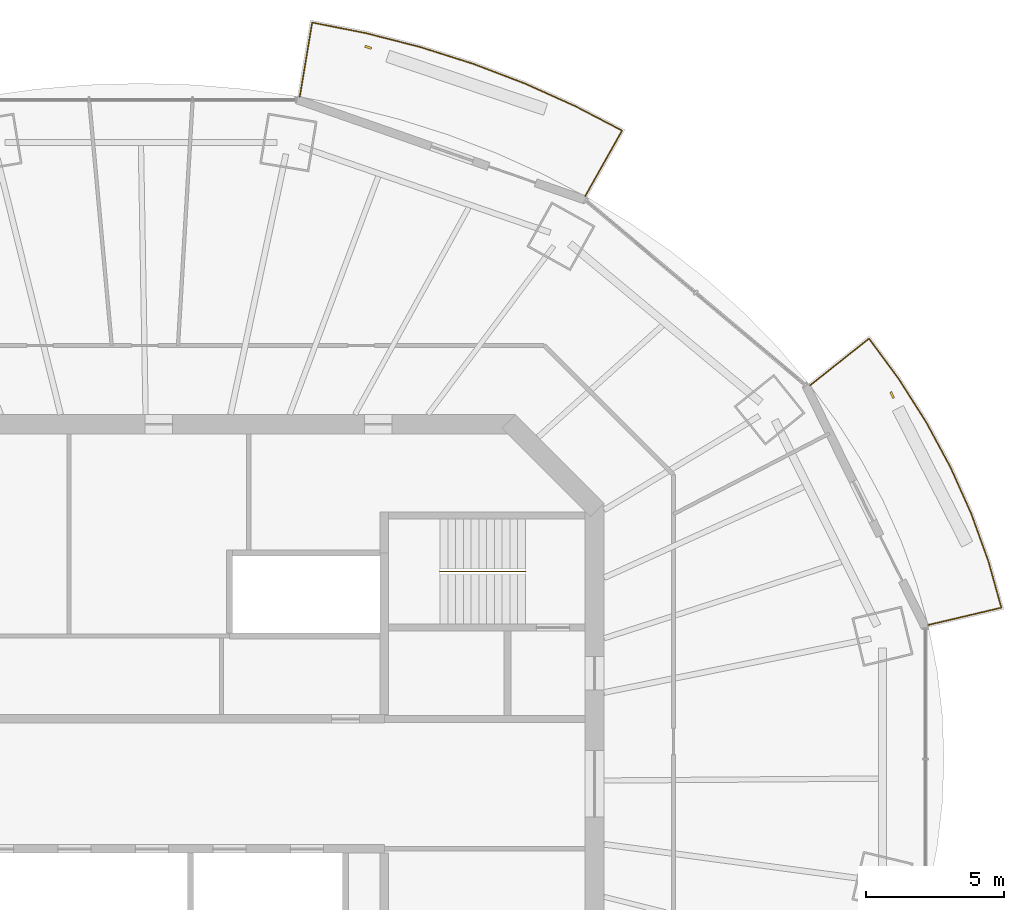
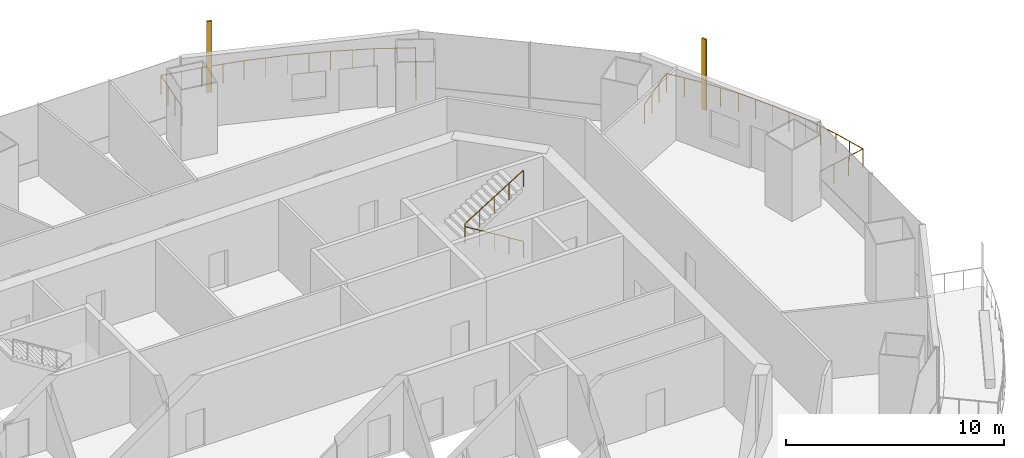
# One storey, part 15 of 16: 3 railings, 2 shading devices.
"""IFC4 building model written with IfcOpenShell, lengths in metres."""

from ifc_helpers import new_model, si_unit, direction, frame, origin, origin_2d, place, context, subcontext, project, spatial, rectangle, circle, extrude, material, material_profile, profile_set, type_object, element, save


model = new_model("IFC4")

# Units and contexts
model_context = context("Model", 3, precision=1e-05, world=origin(), true_north=direction((0.0, 1.0)))
body_context = subcontext(model_context, "Body", "Model", "MODEL_VIEW")
ifc_project = project(units=[si_unit("LENGTHUNIT", "METRE"), si_unit("AREAUNIT", "SQUARE_METRE"), si_unit("VOLUMEUNIT", "CUBIC_METRE"), si_unit("PLANEANGLEUNIT", "RADIAN"), si_unit("MASSUNIT", "GRAM", prefix="KILO")], contexts=[model_context])

# Site, building, storey
site_placement = place(None, origin())
site = spatial("IfcSite", under=ifc_project, at=site_placement, CompositionType="ELEMENT")
building_placement = place(site_placement, origin())
building = spatial("IfcBuilding", under=site, at=building_placement, Name="Marenthal Gate Tower", CompositionType="ELEMENT")
storey_placement = place(building_placement, frame((0.0, 0.0, 288.64990234375)))
storey = spatial("IfcBuildingStorey", under=building, at=storey_placement, Name="L64", CompositionType="ELEMENT", Elevation=288.64990234375)

# Railings
ifc_material_1 = material(Name="Stainless steel", Category="steel")
railing_type_1 = type_object("IfcRailingType", Name="Balcony guard 1100", PredefinedType="GUARDRAIL", material=ifc_material_1)
railing_1_placement = place(storey_placement, frame((23.7939453125, 14.406005859375, 0.0)))
element("IfcRailing", 1, at=railing_1_placement, inside=storey, type_object=railing_type_1, Name="Balcony guard L64 bay 1", PredefinedType="GUARDRAIL", context=body_context, shape_type="SweptSolid", body=[
    extrude(circle(Radius=0.02392578125, at=origin_2d()), frame((0.0, 0.0, 1.076171875), z_axis=(0.783213412128, 0.621580851656, -0.01462859931), x_axis=(-0.621647370214, 0.783297227817, 0.0)), (0.0, 0.0, 1.0), 2.720458984375),
    extrude(circle(Radius=0.02392578125, at=origin_2d()), frame((2.130615234375, 1.69091796875, 1.0361328125), z_axis=(0.593175870863, -0.805072907398, 0.0), x_axis=(0.805072907398, 0.593175870863, 0.0)), (0.0, 0.0, 1.0), 1.79736328125),
    extrude(circle(Radius=0.02392578125, at=origin_2d()), frame((3.19677734375, 0.243896484375, 1.0361328125), z_axis=(0.536341470097, -0.844001082614, 0.0), x_axis=(0.844001082614, 0.536341470097, 0.0)), (0.0, 0.0, 1.0), 1.864013671875),
    extrude(circle(Radius=0.02392578125, at=origin_2d()), frame((4.196533203125, -1.329345703125, 1.0361328125), z_axis=(0.474178476771, -0.880428743379, 0.0), x_axis=(0.880428743379, 0.474178476771, 0.0)), (0.0, 0.0, 1.0), 1.85107421875),
    extrude(circle(Radius=0.02392578125, at=origin_2d()), frame((5.07421875, -2.958984375, 1.0361328125), z_axis=(0.408427160426, -0.912790915066, 0.0), x_axis=(0.912790915066, 0.408427160426, 0.0)), (0.0, 0.0, 1.0), 1.83984375),
    extrude(circle(Radius=0.02392578125, at=origin_2d()), frame((5.82568359375, -4.638427734375, 1.0361328125), z_axis=(0.339224848664, -0.94070532158, 0.0), x_axis=(0.94070532158, 0.339224848664, 0.0)), (0.0, 0.0, 1.0), 1.830322265625),
    extrude(circle(Radius=0.02392578125, at=origin_2d()), frame((6.446533203125, -6.360107421875, 1.0361328125), z_axis=(0.268792920524, -0.963197988929, 0.0), x_axis=(0.963197988929, 0.268792920524, 0.0)), (0.0, 0.0, 1.0), 1.7421875),
    extrude(circle(Radius=0.02392578125, at=origin_2d()), frame((6.914794921875, -8.0380859375, 1.0361328125), z_axis=(-0.973098377557, -0.22992511697, 0.01462833492), x_axis=(0.229949721547, -0.973202510046, 0.0)), (0.0, 0.0, 1.0), 2.720458984375),
    extrude(circle(Radius=0.02099609375, at=origin_2d()), origin(), (0.0, 0.0, 1.0), 1.052001953125),
    extrude(circle(Radius=0.02099609375, at=origin_2d()), frame((0.710205078125, 0.563720703125, -0.01318359375)), (0.0, 0.0, 1.0), 1.052001953125),
    extrude(circle(Radius=0.02099609375, at=origin_2d()), frame((1.42041015625, 1.127197265625, -0.026611328125)), (0.0, 0.0, 1.0), 1.052001953125),
    extrude(circle(Radius=0.02099609375, at=origin_2d()), frame((2.130615234375, 1.69091796875, -0.039794921875)), (0.0, 0.0, 1.0), 1.052001953125),
    extrude(circle(Radius=0.02099609375, at=origin_2d()), frame((2.66357421875, 0.96728515625, -0.039794921875)), (0.0, 0.0, 1.0), 1.052001953125),
    extrude(circle(Radius=0.02099609375, at=origin_2d()), frame((3.19677734375, 0.243896484375, -0.039794921875)), (0.0, 0.0, 1.0), 1.052001953125),
    extrude(circle(Radius=0.02099609375, at=origin_2d()), frame((3.69677734375, -0.542724609375, -0.039794921875)), (0.0, 0.0, 1.0), 1.052001953125),
    extrude(circle(Radius=0.02099609375, at=origin_2d()), frame((4.196533203125, -1.329345703125, -0.039794921875)), (0.0, 0.0, 1.0), 1.052001953125),
    extrude(circle(Radius=0.02099609375, at=origin_2d()), frame((4.63525390625, -2.14404296875, -0.039794921875)), (0.0, 0.0, 1.0), 1.052001953125),
    extrude(circle(Radius=0.02099609375, at=origin_2d()), frame((5.07421875, -2.958984375, -0.039794921875)), (0.0, 0.0, 1.0), 1.052001953125),
    extrude(circle(Radius=0.02099609375, at=origin_2d()), frame((5.449951171875, -3.798828125, -0.039794921875)), (0.0, 0.0, 1.0), 1.052001953125),
    extrude(circle(Radius=0.02099609375, at=origin_2d()), frame((5.82568359375, -4.638427734375, -0.039794921875)), (0.0, 0.0, 1.0), 1.052001953125),
    extrude(circle(Radius=0.02099609375, at=origin_2d()), frame((6.13623046875, -5.499267578125, -0.039794921875)), (0.0, 0.0, 1.0), 1.052001953125),
    extrude(circle(Radius=0.02099609375, at=origin_2d()), frame((6.446533203125, -6.360107421875, -0.039794921875)), (0.0, 0.0, 1.0), 1.052001953125),
    extrude(circle(Radius=0.02099609375, at=origin_2d()), frame((6.6806640625, -7.19921875, -0.039794921875)), (0.0, 0.0, 1.0), 1.052001953125),
    extrude(circle(Radius=0.02099609375, at=origin_2d()), frame((6.914794921875, -8.0380859375, -0.039794921875)), (0.0, 0.0, 1.0), 1.052001953125),
    extrude(circle(Radius=0.02099609375, at=origin_2d()), frame((6.032470703125, -8.24658203125, -0.026611328125)), (0.0, 0.0, 1.0), 1.052001953125),
    extrude(circle(Radius=0.02099609375, at=origin_2d()), frame((5.14990234375, -8.455078125, -0.01318359375)), (0.0, 0.0, 1.0), 1.052001953125),
    extrude(circle(Radius=0.02099609375, at=origin_2d()), frame((4.267578125, -8.66357421875, 0.0)), (0.0, 0.0, 1.0), 1.052001953125),
])
railing_2_placement = place(storey_placement, frame((5.343994140625, 24.840576171875, 0.0)))
element("IfcRailing", 2, at=railing_2_placement, inside=storey, type_object=railing_type_1, Name="Balcony guard L64 bay 3", PredefinedType="GUARDRAIL", context=body_context, shape_type="SweptSolid", body=[
    extrude(circle(Radius=0.02392578125, at=origin_2d()), frame((0.0, 0.0, 1.076171875), z_axis=(0.165138148772, 0.986161944948, -0.014629086005), x_axis=(-0.986267486225, 0.165155822229, 0.0)), (0.0, 0.0, 1.0), 2.72021484375),
    extrude(circle(Radius=0.02392578125, at=origin_2d()), frame((0.44921875, 2.6826171875, 1.0361328125), z_axis=(0.981071534784, -0.193645665165, 0.0), x_axis=(0.193645665165, 0.981071534784, 0.0)), (0.0, 0.0, 1.0), 1.9580078125),
    extrude(circle(Radius=0.02392578125, at=origin_2d()), frame((2.3701171875, 2.303466796875, 1.0361328125), z_axis=(0.968985746555, -0.247116618165, 0.0), x_axis=(0.247116618165, 0.968985746555, 0.0)), (0.0, 0.0, 1.0), 2.0302734375),
    extrude(circle(Radius=0.02392578125, at=origin_2d()), frame((4.33740234375, 1.8017578125, 1.0361328125), z_axis=(0.953335850503, -0.301911835054, 0.0), x_axis=(0.301911835054, 0.953335850503, 0.0)), (0.0, 0.0, 1.0), 2.020751953125),
    extrude(circle(Radius=0.02392578125, at=origin_2d()), frame((6.263916015625, 1.191650390625, 1.0361328125), z_axis=(0.934433846475, -0.356136752614, 0.0), x_axis=(0.356136752614, 0.934433846475, 0.0)), (0.0, 0.0, 1.0), 2.010009765625),
    extrude(circle(Radius=0.02392578125, at=origin_2d()), frame((8.14208984375, 0.475830078125, 1.0361328125), z_axis=(0.912074652347, -0.41002418044, 0.0), x_axis=(0.41002418044, 0.912074652347, 0.0)), (0.0, 0.0, 1.0), 1.99755859375),
    extrude(circle(Radius=0.02392578125, at=origin_2d()), frame((9.964111328125, -0.34326171875, 1.0361328125), z_axis=(0.886680853455, -0.46238194614, 0.0), x_axis=(0.46238194614, 0.886680853455, 0.0)), (0.0, 0.0, 1.0), 1.904052734375),
    extrude(circle(Radius=0.02392578125, at=origin_2d()), frame((11.65234375, -1.2236328125, 1.0361328125), z_axis=(-0.490178956797, -0.871499057022, 0.0146281893), x_axis=(0.871592315383, -0.490231410423, 0.0)), (0.0, 0.0, 1.0), 2.720458984375),
    extrude(circle(Radius=0.02099609375, at=origin_2d()), origin(), (0.0, 0.0, 1.0), 1.052001953125),
    extrude(circle(Radius=0.02099609375, at=origin_2d()), frame((0.149658203125, 0.894287109375, -0.01318359375)), (0.0, 0.0, 1.0), 1.052001953125),
    extrude(circle(Radius=0.02099609375, at=origin_2d()), frame((0.299560546875, 1.788330078125, -0.026611328125)), (0.0, 0.0, 1.0), 1.052001953125),
    extrude(circle(Radius=0.02099609375, at=origin_2d()), frame((0.44921875, 2.6826171875, -0.039794921875)), (0.0, 0.0, 1.0), 1.052001953125),
    extrude(circle(Radius=0.02099609375, at=origin_2d()), frame((1.40966796875, 2.4931640625, -0.039794921875)), (0.0, 0.0, 1.0), 1.052001953125),
    extrude(circle(Radius=0.02099609375, at=origin_2d()), frame((2.3701171875, 2.303466796875, -0.039794921875)), (0.0, 0.0, 1.0), 1.052001953125),
    extrude(circle(Radius=0.02099609375, at=origin_2d()), frame((3.353759765625, 2.052734375, -0.039794921875)), (0.0, 0.0, 1.0), 1.052001953125),
    extrude(circle(Radius=0.02099609375, at=origin_2d()), frame((4.33740234375, 1.8017578125, -0.039794921875)), (0.0, 0.0, 1.0), 1.052001953125),
    extrude(circle(Radius=0.02099609375, at=origin_2d()), frame((5.30078125, 1.49658203125, -0.039794921875)), (0.0, 0.0, 1.0), 1.052001953125),
    extrude(circle(Radius=0.02099609375, at=origin_2d()), frame((6.263916015625, 1.191650390625, -0.039794921875)), (0.0, 0.0, 1.0), 1.052001953125),
    extrude(circle(Radius=0.02099609375, at=origin_2d()), frame((7.203125, 0.833740234375, -0.039794921875)), (0.0, 0.0, 1.0), 1.052001953125),
    extrude(circle(Radius=0.02099609375, at=origin_2d()), frame((8.14208984375, 0.475830078125, -0.039794921875)), (0.0, 0.0, 1.0), 1.052001953125),
    extrude(circle(Radius=0.02099609375, at=origin_2d()), frame((9.05322265625, 0.06640625, -0.039794921875)), (0.0, 0.0, 1.0), 1.052001953125),
    extrude(circle(Radius=0.02099609375, at=origin_2d()), frame((9.964111328125, -0.34326171875, -0.039794921875)), (0.0, 0.0, 1.0), 1.052001953125),
    extrude(circle(Radius=0.02099609375, at=origin_2d()), frame((10.80810546875, -0.783447265625, -0.039794921875)), (0.0, 0.0, 1.0), 1.052001953125),
    extrude(circle(Radius=0.02099609375, at=origin_2d()), frame((11.65234375, -1.2236328125, -0.039794921875)), (0.0, 0.0, 1.0), 1.052001953125),
    extrude(circle(Radius=0.02099609375, at=origin_2d()), frame((11.207763671875, -2.013916015625, -0.026611328125)), (0.0, 0.0, 1.0), 1.052001953125),
    extrude(circle(Radius=0.02099609375, at=origin_2d()), frame((10.763427734375, -2.80419921875, -0.01318359375)), (0.0, 0.0, 1.0), 1.052001953125),
    extrude(circle(Radius=0.02099609375, at=origin_2d()), frame((10.31884765625, -3.594482421875, 0.0)), (0.0, 0.0, 1.0), 1.052001953125),
])
ifc_material_2 = material(Name="Stainless steel", Category="steel")
railing_type_2 = type_object("IfcRailingType", Name="Stair handrail", PredefinedType="HANDRAIL", material=ifc_material_2)
railing_3_placement = place(storey_placement, frame((13.5, 7.675048828125, 0.173095703125)))
element("IfcRailing", 3, at=railing_3_placement, inside=storey, type_object=railing_type_2, Name="Handrail ST3", PredefinedType="HANDRAIL", context=body_context, shape_type="SweptSolid", body=[
    extrude(circle(Radius=0.0224609375, at=origin_2d()), frame((0.0, 0.0, 0.927490234375), z_axis=(-0.850835241893, 0.0, 0.525432575268), x_axis=(0.0, -1.0, 0.0)), (0.0, 0.0, 1.0), 3.6201171875),
    extrude(circle(Radius=0.0224609375, at=origin_2d()), frame((-3.080078125, 0.0, 2.82958984375), z_axis=(0.0, 0.0, 1.0), x_axis=(1.0, 0.0, 0.0)), (0.0, 0.0, 1.0), 0.1728515625),
    extrude(circle(Radius=0.0224609375, at=origin_2d()), frame((-3.080078125, 0.0, 3.00244140625), z_axis=(0.850835241893, 0.0, 0.525432575268), x_axis=(0.0, 1.0, 0.0)), (0.0, 0.0, 1.0), 3.6201171875),
    extrude(circle(Radius=0.02001953125, at=origin_2d()), origin(), (0.0, 0.0, 1.0), 0.905029296875),
    extrude(circle(Radius=0.02001953125, at=origin_2d()), frame((-0.77001953125, 0.0, 0.4755859375)), (0.0, 0.0, 1.0), 0.905029296875),
    extrude(circle(Radius=0.02001953125, at=origin_2d()), frame((-1.5400390625, 0.0, 0.951171875)), (0.0, 0.0, 1.0), 0.905029296875),
    extrude(circle(Radius=0.02001953125, at=origin_2d()), frame((-2.31005859375, 0.0, 1.426513671875)), (0.0, 0.0, 1.0), 0.905029296875),
    extrude(circle(Radius=0.02001953125, at=origin_2d()), frame((-3.080078125, 0.0, 1.902099609375)), (0.0, 0.0, 1.0), 0.905029296875),
    extrude(circle(Radius=0.02001953125, at=origin_2d()), frame((-3.080078125, 0.0, 2.074951171875)), (0.0, 0.0, 1.0), 0.905029296875),
    extrude(circle(Radius=0.02001953125, at=origin_2d()), frame((-2.31005859375, 0.0, 2.550537109375)), (0.0, 0.0, 1.0), 0.905029296875),
    extrude(circle(Radius=0.02001953125, at=origin_2d()), frame((-1.5400390625, 0.0, 3.02587890625)), (0.0, 0.0, 1.0), 0.905029296875),
    extrude(circle(Radius=0.02001953125, at=origin_2d()), frame((-0.77001953125, 0.0, 3.50146484375)), (0.0, 0.0, 1.0), 0.905029296875),
    extrude(circle(Radius=0.02001953125, at=origin_2d()), frame((0.0, 0.0, 3.97705078125)), (0.0, 0.0, 1.0), 0.905029296875),
])

# Shading devices
ifc_material_3 = material(Name="Terracotta", Category="masonry")
ifc_material_profile = material_profile(ifc_material_3, rectangle(XDim=0.25, YDim=0.080078125, at=origin_2d()), Name="Terracotta baguette 250x80")
ifc_profile_set = profile_set([ifc_material_profile], Name="Terracotta")
shading_device_type = type_object("IfcShadingDeviceType", Name="Terracotta BAGUETTE SCREEN 250x80", PredefinedType="USERDEFINED", material=ifc_profile_set)
for number, where, z_axis, x_axis, name in (
    (4, (26.760498046875, 14.056884765625, -0.039794921875), (0.0, 0.0, 1.0), (-0.441711416968, 0.897157190307, 0.0), "Terracotta BAGUETTE L64 bay 1R"),
    (5, (7.819091796875, 26.628173828125, -0.039794921875), (0.0, 0.0, 1.0), (-0.944304873933, 0.329071884345, 0.0), "Terracotta BAGUETTE L64 bay 3R"),
):
    element("IfcShadingDevice", number, at=place(storey_placement, frame(where, z_axis=z_axis, x_axis=x_axis)), inside=storey, type_object=shading_device_type, Name=name, ObjectType="BAGUETTE SCREEN", PredefinedType="USERDEFINED", context=body_context, shape_type="SweptSolid", body=[
        extrude(rectangle(XDim=0.25, YDim=0.080078125, at=origin_2d()), origin(), (0.0, 0.0, 1.0), 3.969970703125),
    ])

save(model, "model.ifc")
